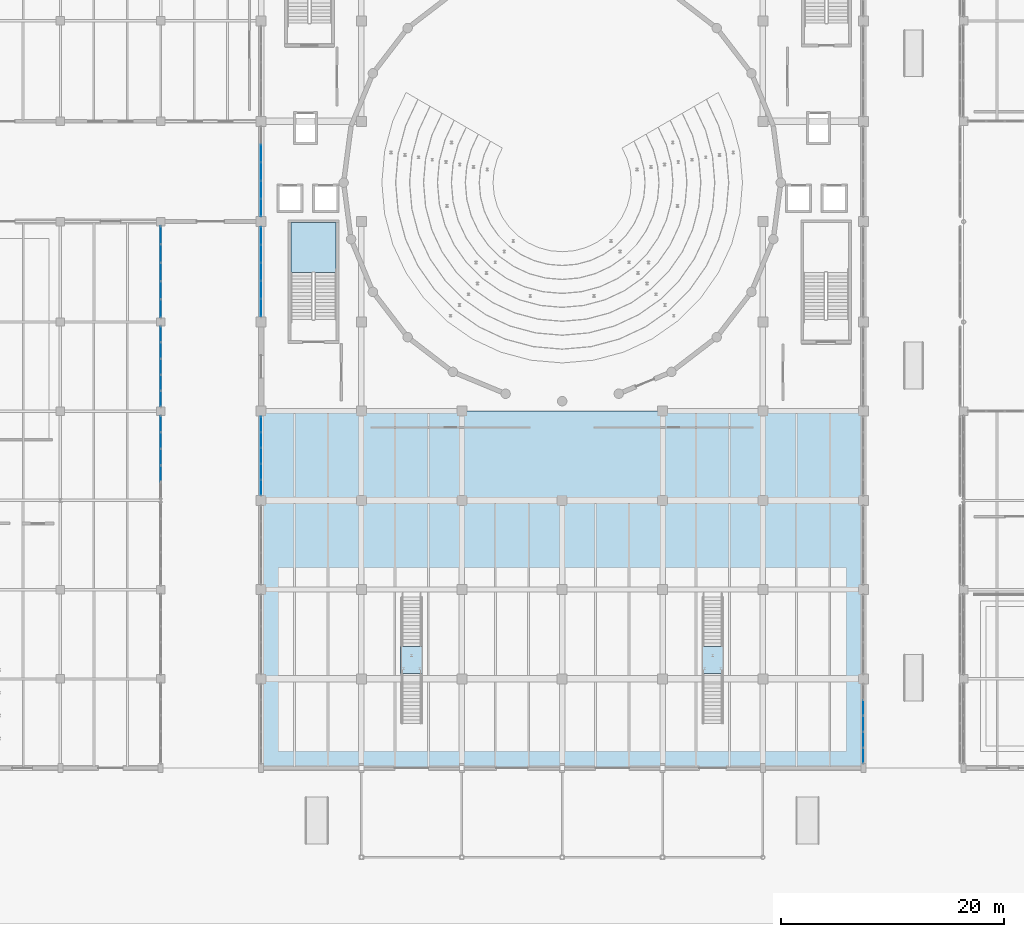
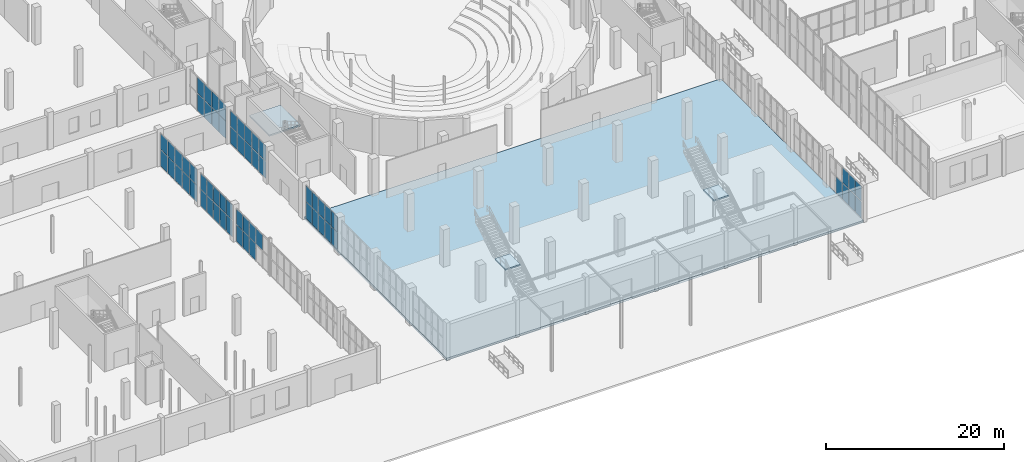
# One storey, part 65 of 103: 62 plates, 4 slabs, 10 elements without a shape of their own.
"""IFC4 building model written with IfcOpenShell, lengths in metres."""

from ifc_helpers import new_model, si_unit, direction, frame, origin, origin_2d, place, context, subcontext, project, spatial, polyline, rectangle, outline, extrude, material, layer, layer_set, type_object, element, aggregate, save


model = new_model("IFC4")

# Units and contexts
model_context = context("Model", 3, precision=1e-05, world=origin(), true_north=direction((0.0, 1.0)))
body_context = subcontext(model_context, "Body", "Model", "MODEL_VIEW")
ifc_project = project(units=[si_unit("LENGTHUNIT", "METRE"), si_unit("AREAUNIT", "SQUARE_METRE"), si_unit("VOLUMEUNIT", "CUBIC_METRE"), si_unit("PLANEANGLEUNIT", "RADIAN"), si_unit("MASSUNIT", "GRAM", prefix="KILO")], contexts=[model_context])

# Site, building, storey
site_placement = place(None, origin())
site = spatial("IfcSite", under=ifc_project, at=site_placement, CompositionType="ELEMENT")
building_placement = place(site_placement, origin())
building = spatial("IfcBuilding", under=site, at=building_placement, Name="Marnock Terrace Opera House", CompositionType="ELEMENT")
storey_placement = place(building_placement, origin())
storey = spatial("IfcBuildingStorey", under=building, at=storey_placement, Name="L00", CompositionType="ELEMENT", Elevation=0.0)

# Curtain wall, plates
ifc_material_1 = material(Name="Anodised architectural bronze aluminium framing", Category="aluminium")
ifc_layer_1 = layer(ifc_material_1, 0.159912109375)
ifc_layer_set_1 = layer_set([ifc_layer_1], Name="Anodised architectural bronze aluminium framing")
curtain_wall_type_1 = type_object("IfcCurtainWallType", Name="CW-FOYER-80x51", PredefinedType="NOTDEFINED", material=ifc_layer_set_1)
curtain_wall_1_placement = place(storey_placement, origin())
curtain_wall_1 = element("IfcCurtainWall", 1, at=curtain_wall_1_placement, inside=storey, type_object=curtain_wall_type_1, Name="L00 glazed Beaux-Arts colonnade curtain wall CW-V1W-L00-04", PredefinedType="NOTDEFINED")
ifc_material_2 = material(Name="Double-glazed acoustic low-E laminated glass", Category="glass")
ifc_layer_2 = layer(ifc_material_2, 0.028076171875)
ifc_layer_set_2 = layer_set([ifc_layer_2], Name="Double-glazed acoustic low-E laminated glass")
plate_type = type_object("IfcPlateType", Name="CWP-GLZ-28", PredefinedType="CURTAIN_PANEL", material=ifc_layer_set_2)
plate_1_placement = place(storey_placement, frame((55.0, 33.171875, 0.06005859375), z_axis=(0.0, 0.0, 1.0), x_axis=(0.0, 1.0, 0.0)))
plate_1 = element("IfcPlate", 2, at=plate_1_placement, type_object=plate_type, Name="CW-73 panel 1.1", PredefinedType="CURTAIN_PANEL", context=body_context, shape_type="SweptSolid", body=[
    extrude(rectangle(XDim=1.33154296875, YDim=0.028076171875, at=origin_2d()), origin(), (0.0, 0.0, 1.0), 2.319091796875),
])
plate_2_placement = place(storey_placement, frame((55.0, 33.171875, 2.43896484375), z_axis=(0.0, 0.0, 1.0), x_axis=(0.0, 1.0, 0.0)))
plate_2 = element("IfcPlate", 3, at=plate_2_placement, type_object=plate_type, Name="CW-73 panel 1.2", PredefinedType="CURTAIN_PANEL", context=body_context, shape_type="SweptSolid", body=[
    extrude(rectangle(XDim=1.33154296875, YDim=0.028076171875, at=origin_2d()), origin(), (0.0, 0.0, 1.0), 2.133544921875),
])
plate_3_placement = place(storey_placement, frame((55.0, 34.578369140625, 0.06005859375), z_axis=(0.0, 0.0, 1.0), x_axis=(0.0, 1.0, 0.0)))
plate_3 = element("IfcPlate", 4, at=plate_3_placement, type_object=plate_type, Name="CW-73 panel 2.1", PredefinedType="CURTAIN_PANEL", context=body_context, shape_type="SweptSolid", body=[
    extrude(rectangle(XDim=1.361572265625, YDim=0.028076171875, at=origin_2d()), origin(), (0.0, 0.0, 1.0), 2.319091796875),
])
plate_4_placement = place(storey_placement, frame((55.0, 34.578369140625, 2.43896484375), z_axis=(0.0, 0.0, 1.0), x_axis=(0.0, 1.0, 0.0)))
plate_4 = element("IfcPlate", 5, at=plate_4_placement, type_object=plate_type, Name="CW-73 panel 2.2", PredefinedType="CURTAIN_PANEL", context=body_context, shape_type="SweptSolid", body=[
    extrude(rectangle(XDim=1.361572265625, YDim=0.028076171875, at=origin_2d()), origin(), (0.0, 0.0, 1.0), 2.133544921875),
])
plate_5_placement = place(storey_placement, frame((55.0, 36.0, 0.06005859375), z_axis=(0.0, 0.0, 1.0), x_axis=(0.0, 1.0, 0.0)))
plate_5 = element("IfcPlate", 6, at=plate_5_placement, type_object=plate_type, Name="CW-73 panel 3.1", PredefinedType="CURTAIN_PANEL", context=body_context, shape_type="SweptSolid", body=[
    extrude(rectangle(XDim=1.361572265625, YDim=0.028076171875, at=origin_2d()), origin(), (0.0, 0.0, 1.0), 2.319091796875),
])
plate_6_placement = place(storey_placement, frame((55.0, 36.0, 2.43896484375), z_axis=(0.0, 0.0, 1.0), x_axis=(0.0, 1.0, 0.0)))
plate_6 = element("IfcPlate", 7, at=plate_6_placement, type_object=plate_type, Name="CW-73 panel 3.2", PredefinedType="CURTAIN_PANEL", context=body_context, shape_type="SweptSolid", body=[
    extrude(rectangle(XDim=1.361572265625, YDim=0.028076171875, at=origin_2d()), origin(), (0.0, 0.0, 1.0), 2.133544921875),
])
plate_7_placement = place(storey_placement, frame((55.0, 37.421630859375, 0.06005859375), z_axis=(0.0, 0.0, 1.0), x_axis=(0.0, 1.0, 0.0)))
plate_7 = element("IfcPlate", 8, at=plate_7_placement, type_object=plate_type, Name="CW-73 panel 4.1", PredefinedType="CURTAIN_PANEL", context=body_context, shape_type="SweptSolid", body=[
    extrude(rectangle(XDim=1.361572265625, YDim=0.028076171875, at=origin_2d()), origin(), (0.0, 0.0, 1.0), 2.319091796875),
])
plate_8_placement = place(storey_placement, frame((55.0, 37.421630859375, 2.43896484375), z_axis=(0.0, 0.0, 1.0), x_axis=(0.0, 1.0, 0.0)))
plate_8 = element("IfcPlate", 9, at=plate_8_placement, type_object=plate_type, Name="CW-73 panel 4.2", PredefinedType="CURTAIN_PANEL", context=body_context, shape_type="SweptSolid", body=[
    extrude(rectangle(XDim=1.361572265625, YDim=0.028076171875, at=origin_2d()), origin(), (0.0, 0.0, 1.0), 2.133544921875),
])
plate_9_placement = place(storey_placement, frame((55.0, 38.828125, 0.06005859375), z_axis=(0.0, 0.0, 1.0), x_axis=(0.0, 1.0, 0.0)))
plate_9 = element("IfcPlate", 10, at=plate_9_placement, type_object=plate_type, Name="CW-73 panel 5.1", PredefinedType="CURTAIN_PANEL", context=body_context, shape_type="SweptSolid", body=[
    extrude(rectangle(XDim=1.33154296875, YDim=0.028076171875, at=origin_2d()), origin(), (0.0, 0.0, 1.0), 2.319091796875),
])
plate_10_placement = place(storey_placement, frame((55.0, 38.828125, 2.43896484375), z_axis=(0.0, 0.0, 1.0), x_axis=(0.0, 1.0, 0.0)))
plate_10 = element("IfcPlate", 11, at=plate_10_placement, type_object=plate_type, Name="CW-73 panel 5.2", PredefinedType="CURTAIN_PANEL", context=body_context, shape_type="SweptSolid", body=[
    extrude(rectangle(XDim=1.33154296875, YDim=0.028076171875, at=origin_2d()), origin(), (0.0, 0.0, 1.0), 2.133544921875),
])
aggregate(curtain_wall_1, [plate_1, plate_2, plate_3, plate_4, plate_5, plate_6, plate_7, plate_8, plate_9, plate_10])

ifc_layer_3 = layer(ifc_material_1, 0.159912109375)
ifc_layer_set_3 = layer_set([ifc_layer_3], Name="Anodised architectural bronze aluminium framing")
curtain_wall_type_2 = type_object("IfcCurtainWallType", Name="CW-FOYER-90x51", PredefinedType="NOTDEFINED", material=ifc_layer_set_3)
curtain_wall_2_placement = place(storey_placement, origin())
curtain_wall_2 = element("IfcCurtainWall", 12, at=curtain_wall_2_placement, inside=storey, type_object=curtain_wall_type_2, Name="L00 glazed Beaux-Arts colonnade curtain wall CW-V1W-L00-06", PredefinedType="NOTDEFINED")
plate_11_placement = place(storey_placement, frame((55.0, 49.271728515625, 0.06005859375), z_axis=(0.0, 0.0, 1.0), x_axis=(0.0, 1.0, 0.0)))
plate_11 = element("IfcPlate", 13, at=plate_11_placement, type_object=plate_type, Name="CW-31 panel 1.1", PredefinedType="CURTAIN_PANEL", context=body_context, shape_type="SweptSolid", body=[
    extrude(rectangle(XDim=1.531494140625, YDim=0.028076171875, at=origin_2d()), origin(), (0.0, 0.0, 1.0), 2.319091796875),
])
plate_12_placement = place(storey_placement, frame((55.0, 49.271728515625, 2.43896484375), z_axis=(0.0, 0.0, 1.0), x_axis=(0.0, 1.0, 0.0)))
plate_12 = element("IfcPlate", 14, at=plate_12_placement, type_object=plate_type, Name="CW-31 panel 1.2", PredefinedType="CURTAIN_PANEL", context=body_context, shape_type="SweptSolid", body=[
    extrude(rectangle(XDim=1.531494140625, YDim=0.028076171875, at=origin_2d()), origin(), (0.0, 0.0, 1.0), 2.133544921875),
])
plate_13_placement = place(storey_placement, frame((55.0, 50.87841796875, 0.06005859375), z_axis=(0.0, 0.0, 1.0), x_axis=(0.0, 1.0, 0.0)))
plate_13 = element("IfcPlate", 15, at=plate_13_placement, type_object=plate_type, Name="CW-31 panel 2.1", PredefinedType="CURTAIN_PANEL", context=body_context, shape_type="SweptSolid", body=[
    extrude(rectangle(XDim=1.5615234375, YDim=0.028076171875, at=origin_2d()), origin(), (0.0, 0.0, 1.0), 2.319091796875),
])
plate_14_placement = place(storey_placement, frame((55.0, 50.87841796875, 2.43896484375), z_axis=(0.0, 0.0, 1.0), x_axis=(0.0, 1.0, 0.0)))
plate_14 = element("IfcPlate", 16, at=plate_14_placement, type_object=plate_type, Name="CW-31 panel 2.2", PredefinedType="CURTAIN_PANEL", context=body_context, shape_type="SweptSolid", body=[
    extrude(rectangle(XDim=1.5615234375, YDim=0.028076171875, at=origin_2d()), origin(), (0.0, 0.0, 1.0), 2.133544921875),
])
plate_15_placement = place(storey_placement, frame((55.0, 52.5, 0.06005859375), z_axis=(0.0, 0.0, 1.0), x_axis=(0.0, 1.0, 0.0)))
plate_15 = element("IfcPlate", 17, at=plate_15_placement, type_object=plate_type, Name="CW-31 panel 3.1", PredefinedType="CURTAIN_PANEL", context=body_context, shape_type="SweptSolid", body=[
    extrude(rectangle(XDim=1.5615234375, YDim=0.028076171875, at=origin_2d()), origin(), (0.0, 0.0, 1.0), 2.319091796875),
])
plate_16_placement = place(storey_placement, frame((55.0, 52.5, 2.43896484375), z_axis=(0.0, 0.0, 1.0), x_axis=(0.0, 1.0, 0.0)))
plate_16 = element("IfcPlate", 18, at=plate_16_placement, type_object=plate_type, Name="CW-31 panel 3.2", PredefinedType="CURTAIN_PANEL", context=body_context, shape_type="SweptSolid", body=[
    extrude(rectangle(XDim=1.5615234375, YDim=0.028076171875, at=origin_2d()), origin(), (0.0, 0.0, 1.0), 2.133544921875),
])
plate_17_placement = place(storey_placement, frame((55.0, 54.12158203125, 0.06005859375), z_axis=(0.0, 0.0, 1.0), x_axis=(0.0, 1.0, 0.0)))
plate_17 = element("IfcPlate", 19, at=plate_17_placement, type_object=plate_type, Name="CW-31 panel 4.1", PredefinedType="CURTAIN_PANEL", context=body_context, shape_type="SweptSolid", body=[
    extrude(rectangle(XDim=1.5615234375, YDim=0.028076171875, at=origin_2d()), origin(), (0.0, 0.0, 1.0), 2.319091796875),
])
plate_18_placement = place(storey_placement, frame((55.0, 54.12158203125, 2.43896484375), z_axis=(0.0, 0.0, 1.0), x_axis=(0.0, 1.0, 0.0)))
plate_18 = element("IfcPlate", 20, at=plate_18_placement, type_object=plate_type, Name="CW-31 panel 4.2", PredefinedType="CURTAIN_PANEL", context=body_context, shape_type="SweptSolid", body=[
    extrude(rectangle(XDim=1.5615234375, YDim=0.028076171875, at=origin_2d()), origin(), (0.0, 0.0, 1.0), 2.133544921875),
])
plate_19_placement = place(storey_placement, frame((55.0, 55.728271484375, 0.06005859375), z_axis=(0.0, 0.0, 1.0), x_axis=(0.0, 1.0, 0.0)))
plate_19 = element("IfcPlate", 21, at=plate_19_placement, type_object=plate_type, Name="CW-31 panel 5.1", PredefinedType="CURTAIN_PANEL", context=body_context, shape_type="SweptSolid", body=[
    extrude(rectangle(XDim=1.531494140625, YDim=0.028076171875, at=origin_2d()), origin(), (0.0, 0.0, 1.0), 2.319091796875),
])
plate_20_placement = place(storey_placement, frame((55.0, 55.728271484375, 2.43896484375), z_axis=(0.0, 0.0, 1.0), x_axis=(0.0, 1.0, 0.0)))
plate_20 = element("IfcPlate", 22, at=plate_20_placement, type_object=plate_type, Name="CW-31 panel 5.2", PredefinedType="CURTAIN_PANEL", context=body_context, shape_type="SweptSolid", body=[
    extrude(rectangle(XDim=1.531494140625, YDim=0.028076171875, at=origin_2d()), origin(), (0.0, 0.0, 1.0), 2.133544921875),
])
aggregate(curtain_wall_2, [plate_11, plate_12, plate_13, plate_14, plate_15, plate_16, plate_17, plate_18, plate_19, plate_20])

curtain_wall_3_placement = place(storey_placement, origin())
curtain_wall_3 = element("IfcCurtainWall", 23, at=curtain_wall_3_placement, inside=storey, type_object=curtain_wall_type_2, Name="L00 glazed Beaux-Arts colonnade curtain wall CW-V1W-L00-07", PredefinedType="NOTDEFINED")
plate_21_placement = place(storey_placement, frame((55.0, 58.271728515625, 0.06005859375), z_axis=(0.0, 0.0, 1.0), x_axis=(0.0, 1.0, 0.0)))
plate_21 = element("IfcPlate", 24, at=plate_21_placement, type_object=plate_type, Name="CW-31 panel 1.1", PredefinedType="CURTAIN_PANEL", context=body_context, shape_type="SweptSolid", body=[
    extrude(rectangle(XDim=1.531494140625, YDim=0.028076171875, at=origin_2d()), origin(), (0.0, 0.0, 1.0), 2.371826171875),
])
plate_22_placement = place(storey_placement, frame((55.0, 58.271728515625, 2.491943359375), z_axis=(0.0, 0.0, 1.0), x_axis=(0.0, 1.0, 0.0)))
plate_22 = element("IfcPlate", 25, at=plate_22_placement, type_object=plate_type, Name="CW-31 panel 1.2", PredefinedType="CURTAIN_PANEL", context=body_context, shape_type="SweptSolid", body=[
    extrude(rectangle(XDim=1.531494140625, YDim=0.028076171875, at=origin_2d()), origin(), (0.0, 0.0, 1.0), 2.1826171875),
])
plate_23_placement = place(storey_placement, frame((55.0, 59.87841796875, 0.06005859375), z_axis=(0.0, 0.0, 1.0), x_axis=(0.0, 1.0, 0.0)))
plate_23 = element("IfcPlate", 26, at=plate_23_placement, type_object=plate_type, Name="CW-31 panel 2.1", PredefinedType="CURTAIN_PANEL", context=body_context, shape_type="SweptSolid", body=[
    extrude(rectangle(XDim=1.5615234375, YDim=0.028076171875, at=origin_2d()), origin(), (0.0, 0.0, 1.0), 2.371826171875),
])
plate_24_placement = place(storey_placement, frame((55.0, 59.87841796875, 2.491943359375), z_axis=(0.0, 0.0, 1.0), x_axis=(0.0, 1.0, 0.0)))
plate_24 = element("IfcPlate", 27, at=plate_24_placement, type_object=plate_type, Name="CW-31 panel 2.2", PredefinedType="CURTAIN_PANEL", context=body_context, shape_type="SweptSolid", body=[
    extrude(rectangle(XDim=1.5615234375, YDim=0.028076171875, at=origin_2d()), origin(), (0.0, 0.0, 1.0), 2.1826171875),
])
plate_25_placement = place(storey_placement, frame((55.0, 61.5, 0.06005859375), z_axis=(0.0, 0.0, 1.0), x_axis=(0.0, 1.0, 0.0)))
plate_25 = element("IfcPlate", 28, at=plate_25_placement, type_object=plate_type, Name="CW-31 panel 3.1", PredefinedType="CURTAIN_PANEL", context=body_context, shape_type="SweptSolid", body=[
    extrude(rectangle(XDim=1.5615234375, YDim=0.028076171875, at=origin_2d()), origin(), (0.0, 0.0, 1.0), 2.371826171875),
])
plate_26_placement = place(storey_placement, frame((55.0, 61.5, 2.491943359375), z_axis=(0.0, 0.0, 1.0), x_axis=(0.0, 1.0, 0.0)))
plate_26 = element("IfcPlate", 29, at=plate_26_placement, type_object=plate_type, Name="CW-31 panel 3.2", PredefinedType="CURTAIN_PANEL", context=body_context, shape_type="SweptSolid", body=[
    extrude(rectangle(XDim=1.5615234375, YDim=0.028076171875, at=origin_2d()), origin(), (0.0, 0.0, 1.0), 2.1826171875),
])
plate_27_placement = place(storey_placement, frame((55.0, 63.12158203125, 0.06005859375), z_axis=(0.0, 0.0, 1.0), x_axis=(0.0, 1.0, 0.0)))
plate_27 = element("IfcPlate", 30, at=plate_27_placement, type_object=plate_type, Name="CW-31 panel 4.1", PredefinedType="CURTAIN_PANEL", context=body_context, shape_type="SweptSolid", body=[
    extrude(rectangle(XDim=1.5615234375, YDim=0.028076171875, at=origin_2d()), origin(), (0.0, 0.0, 1.0), 2.371826171875),
])
plate_28_placement = place(storey_placement, frame((55.0, 63.12158203125, 2.491943359375), z_axis=(0.0, 0.0, 1.0), x_axis=(0.0, 1.0, 0.0)))
plate_28 = element("IfcPlate", 31, at=plate_28_placement, type_object=plate_type, Name="CW-31 panel 4.2", PredefinedType="CURTAIN_PANEL", context=body_context, shape_type="SweptSolid", body=[
    extrude(rectangle(XDim=1.5615234375, YDim=0.028076171875, at=origin_2d()), origin(), (0.0, 0.0, 1.0), 2.1826171875),
])
aggregate(curtain_wall_3, [plate_21, plate_22, plate_23, plate_24, plate_25, plate_26, plate_27, plate_28])

curtain_wall_4_placement = place(storey_placement, origin())
curtain_wall_4 = element("IfcCurtainWall", 32, at=curtain_wall_4_placement, inside=storey, type_object=curtain_wall_type_1, Name="L00 glazed Beaux-Arts colonnade curtain wall CW-V1E-L00-01", PredefinedType="NOTDEFINED")
plate_29_placement = place(storey_placement, frame((109.0, 9.126708984375, 0.06005859375), z_axis=(0.0, 0.0, 1.0), x_axis=(0.0, 1.0, 0.0)))
plate_29 = element("IfcPlate", 33, at=plate_29_placement, type_object=plate_type, Name="CW-73 panel 1.1", PredefinedType="CURTAIN_PANEL", context=body_context, shape_type="SweptSolid", body=[
    extrude(rectangle(XDim=1.341552734375, YDim=0.028076171875, at=origin_2d()), origin(), (0.0, 0.0, 1.0), 2.243896484375),
])
plate_30_placement = place(storey_placement, frame((109.0, 9.126708984375, 2.36376953125), z_axis=(0.0, 0.0, 1.0), x_axis=(0.0, 1.0, 0.0)))
plate_30 = element("IfcPlate", 34, at=plate_30_placement, type_object=plate_type, Name="CW-73 panel 1.2", PredefinedType="CURTAIN_PANEL", context=body_context, shape_type="SweptSolid", body=[
    extrude(rectangle(XDim=1.341552734375, YDim=0.028076171875, at=origin_2d()), origin(), (0.0, 0.0, 1.0), 2.064208984375),
])
plate_31_placement = place(storey_placement, frame((109.0, 10.54345703125, 0.06005859375), z_axis=(0.0, 0.0, 1.0), x_axis=(0.0, 1.0, 0.0)))
plate_31 = element("IfcPlate", 35, at=plate_31_placement, type_object=plate_type, Name="CW-73 panel 2.1", PredefinedType="CURTAIN_PANEL", context=body_context, shape_type="SweptSolid", body=[
    extrude(rectangle(XDim=1.37158203125, YDim=0.028076171875, at=origin_2d()), origin(), (0.0, 0.0, 1.0), 2.243896484375),
])
plate_32_placement = place(storey_placement, frame((109.0, 10.54345703125, 2.36376953125), z_axis=(0.0, 0.0, 1.0), x_axis=(0.0, 1.0, 0.0)))
plate_32 = element("IfcPlate", 36, at=plate_32_placement, type_object=plate_type, Name="CW-73 panel 2.2", PredefinedType="CURTAIN_PANEL", context=body_context, shape_type="SweptSolid", body=[
    extrude(rectangle(XDim=1.37158203125, YDim=0.028076171875, at=origin_2d()), origin(), (0.0, 0.0, 1.0), 2.064208984375),
])
plate_33_placement = place(storey_placement, frame((109.0, 11.97509765625, 0.06005859375), z_axis=(0.0, 0.0, 1.0), x_axis=(0.0, 1.0, 0.0)))
plate_33 = element("IfcPlate", 37, at=plate_33_placement, type_object=plate_type, Name="CW-73 panel 3.1", PredefinedType="CURTAIN_PANEL", context=body_context, shape_type="SweptSolid", body=[
    extrude(rectangle(XDim=1.37158203125, YDim=0.028076171875, at=origin_2d()), origin(), (0.0, 0.0, 1.0), 2.243896484375),
])
plate_34_placement = place(storey_placement, frame((109.0, 11.97509765625, 2.36376953125), z_axis=(0.0, 0.0, 1.0), x_axis=(0.0, 1.0, 0.0)))
plate_34 = element("IfcPlate", 38, at=plate_34_placement, type_object=plate_type, Name="CW-73 panel 3.2", PredefinedType="CURTAIN_PANEL", context=body_context, shape_type="SweptSolid", body=[
    extrude(rectangle(XDim=1.37158203125, YDim=0.028076171875, at=origin_2d()), origin(), (0.0, 0.0, 1.0), 2.064208984375),
])
plate_35_placement = place(storey_placement, frame((109.0, 13.406494140625, 0.06005859375), z_axis=(0.0, 0.0, 1.0), x_axis=(0.0, 1.0, 0.0)))
plate_35 = element("IfcPlate", 39, at=plate_35_placement, type_object=plate_type, Name="CW-73 panel 4.1", PredefinedType="CURTAIN_PANEL", context=body_context, shape_type="SweptSolid", body=[
    extrude(rectangle(XDim=1.37158203125, YDim=0.028076171875, at=origin_2d()), origin(), (0.0, 0.0, 1.0), 2.243896484375),
])
aggregate(curtain_wall_4, [plate_29, plate_30, plate_31, plate_32, plate_33, plate_34, plate_35])

ifc_layer_4 = layer(ifc_material_1, 0.159912109375)
ifc_layer_set_4 = layer_set([ifc_layer_4], Name="Anodised architectural bronze aluminium framing")
curtain_wall_type_3 = type_object("IfcCurtainWallType", Name="CW-COURT-80x51", PredefinedType="NOTDEFINED", material=ifc_layer_set_4)
curtain_wall_5_placement = place(storey_placement, origin())
curtain_wall_5 = element("IfcCurtainWall", 40, at=curtain_wall_5_placement, inside=storey, type_object=curtain_wall_type_3, Name="L00 glazed Beaux-Arts colonnade curtain wall CW-V3E-L00-04", PredefinedType="NOTDEFINED")
plate_36_placement = place(storey_placement, frame((46.0, 34.400390625, 2.40234375), z_axis=(0.0, 0.0, 1.0), x_axis=(0.0, 1.0, 0.0)))
plate_36 = element("IfcPlate", 41, at=plate_36_placement, type_object=plate_type, Name="CW-114 panel 2.2", PredefinedType="CURTAIN_PANEL", context=body_context, shape_type="SweptSolid", body=[
    extrude(rectangle(XDim=1.433837890625, YDim=0.028076171875, at=origin_2d()), origin(), (0.0, 0.0, 1.0), 2.099853515625),
])
plate_37_placement = place(storey_placement, frame((46.0, 35.894287109375, 0.06005859375), z_axis=(0.0, 0.0, 1.0), x_axis=(0.0, 1.0, 0.0)))
plate_37 = element("IfcPlate", 42, at=plate_37_placement, type_object=plate_type, Name="CW-114 panel 3.1", PredefinedType="CURTAIN_PANEL", context=body_context, shape_type="SweptSolid", body=[
    extrude(rectangle(XDim=1.433837890625, YDim=0.028076171875, at=origin_2d()), origin(), (0.0, 0.0, 1.0), 2.2822265625),
])
plate_38_placement = place(storey_placement, frame((46.0, 35.894287109375, 2.40234375), z_axis=(0.0, 0.0, 1.0), x_axis=(0.0, 1.0, 0.0)))
plate_38 = element("IfcPlate", 43, at=plate_38_placement, type_object=plate_type, Name="CW-114 panel 3.2", PredefinedType="CURTAIN_PANEL", context=body_context, shape_type="SweptSolid", body=[
    extrude(rectangle(XDim=1.433837890625, YDim=0.028076171875, at=origin_2d()), origin(), (0.0, 0.0, 1.0), 2.099853515625),
])
plate_39_placement = place(storey_placement, frame((46.0, 37.38818359375, 0.06005859375), z_axis=(0.0, 0.0, 1.0), x_axis=(0.0, 1.0, 0.0)))
plate_39 = element("IfcPlate", 44, at=plate_39_placement, type_object=plate_type, Name="CW-114 panel 4.1", PredefinedType="CURTAIN_PANEL", context=body_context, shape_type="SweptSolid", body=[
    extrude(rectangle(XDim=1.433837890625, YDim=0.028076171875, at=origin_2d()), origin(), (0.0, 0.0, 1.0), 2.2822265625),
])
plate_40_placement = place(storey_placement, frame((46.0, 37.38818359375, 2.40234375), z_axis=(0.0, 0.0, 1.0), x_axis=(0.0, 1.0, 0.0)))
plate_40 = element("IfcPlate", 45, at=plate_40_placement, type_object=plate_type, Name="CW-114 panel 4.2", PredefinedType="CURTAIN_PANEL", context=body_context, shape_type="SweptSolid", body=[
    extrude(rectangle(XDim=1.433837890625, YDim=0.028076171875, at=origin_2d()), origin(), (0.0, 0.0, 1.0), 2.099853515625),
])
plate_41_placement = place(storey_placement, frame((46.0, 38.866943359375, 0.06005859375), z_axis=(0.0, 0.0, 1.0), x_axis=(0.0, 1.0, 0.0)))
plate_41 = element("IfcPlate", 46, at=plate_41_placement, type_object=plate_type, Name="CW-114 panel 5.1", PredefinedType="CURTAIN_PANEL", context=body_context, shape_type="SweptSolid", body=[
    extrude(rectangle(XDim=1.40380859375, YDim=0.028076171875, at=origin_2d()), origin(), (0.0, 0.0, 1.0), 2.2822265625),
])
plate_42_placement = place(storey_placement, frame((46.0, 38.866943359375, 2.40234375), z_axis=(0.0, 0.0, 1.0), x_axis=(0.0, 1.0, 0.0)))
plate_42 = element("IfcPlate", 47, at=plate_42_placement, type_object=plate_type, Name="CW-114 panel 5.2", PredefinedType="CURTAIN_PANEL", context=body_context, shape_type="SweptSolid", body=[
    extrude(rectangle(XDim=1.40380859375, YDim=0.028076171875, at=origin_2d()), origin(), (0.0, 0.0, 1.0), 2.099853515625),
])
aggregate(curtain_wall_5, [plate_36, plate_37, plate_38, plate_39, plate_40, plate_41, plate_42])

curtain_wall_6_placement = place(storey_placement, origin())
curtain_wall_6 = element("IfcCurtainWall", 48, at=curtain_wall_6_placement, inside=storey, type_object=curtain_wall_type_3, Name="L00 glazed Beaux-Arts colonnade curtain wall CW-V3E-L00-05", PredefinedType="NOTDEFINED")
plate_43_placement = place(storey_placement, frame((46.0, 41.11181640625, 0.06005859375), z_axis=(0.0, 0.0, 1.0), x_axis=(0.0, 1.0, 0.0)))
plate_43 = element("IfcPlate", 49, at=plate_43_placement, type_object=plate_type, Name="CW-114 panel 1.1", PredefinedType="CURTAIN_PANEL", context=body_context, shape_type="SweptSolid", body=[
    extrude(rectangle(XDim=1.361572265625, YDim=0.028076171875, at=origin_2d()), origin(), (0.0, 0.0, 1.0), 2.2822265625),
])
plate_44_placement = place(storey_placement, frame((46.0, 41.11181640625, 2.40234375), z_axis=(0.0, 0.0, 1.0), x_axis=(0.0, 1.0, 0.0)))
plate_44 = element("IfcPlate", 50, at=plate_44_placement, type_object=plate_type, Name="CW-114 panel 1.2", PredefinedType="CURTAIN_PANEL", context=body_context, shape_type="SweptSolid", body=[
    extrude(rectangle(XDim=1.361572265625, YDim=0.028076171875, at=origin_2d()), origin(), (0.0, 0.0, 1.0), 2.099853515625),
])
plate_45_placement = place(storey_placement, frame((46.0, 42.54833984375, 0.06005859375), z_axis=(0.0, 0.0, 1.0), x_axis=(0.0, 1.0, 0.0)))
plate_45 = element("IfcPlate", 51, at=plate_45_placement, type_object=plate_type, Name="CW-114 panel 2.1", PredefinedType="CURTAIN_PANEL", context=body_context, shape_type="SweptSolid", body=[
    extrude(rectangle(XDim=1.3916015625, YDim=0.028076171875, at=origin_2d()), origin(), (0.0, 0.0, 1.0), 2.2822265625),
])
plate_46_placement = place(storey_placement, frame((46.0, 42.54833984375, 2.40234375), z_axis=(0.0, 0.0, 1.0), x_axis=(0.0, 1.0, 0.0)))
plate_46 = element("IfcPlate", 52, at=plate_46_placement, type_object=plate_type, Name="CW-114 panel 2.2", PredefinedType="CURTAIN_PANEL", context=body_context, shape_type="SweptSolid", body=[
    extrude(rectangle(XDim=1.3916015625, YDim=0.028076171875, at=origin_2d()), origin(), (0.0, 0.0, 1.0), 2.099853515625),
])
plate_47_placement = place(storey_placement, frame((46.0, 44.0, 0.06005859375), z_axis=(0.0, 0.0, 1.0), x_axis=(0.0, 1.0, 0.0)))
plate_47 = element("IfcPlate", 53, at=plate_47_placement, type_object=plate_type, Name="CW-114 panel 3.1", PredefinedType="CURTAIN_PANEL", context=body_context, shape_type="SweptSolid", body=[
    extrude(rectangle(XDim=1.3916015625, YDim=0.028076171875, at=origin_2d()), origin(), (0.0, 0.0, 1.0), 2.2822265625),
])
plate_48_placement = place(storey_placement, frame((46.0, 44.0, 2.40234375), z_axis=(0.0, 0.0, 1.0), x_axis=(0.0, 1.0, 0.0)))
plate_48 = element("IfcPlate", 54, at=plate_48_placement, type_object=plate_type, Name="CW-114 panel 3.2", PredefinedType="CURTAIN_PANEL", context=body_context, shape_type="SweptSolid", body=[
    extrude(rectangle(XDim=1.3916015625, YDim=0.028076171875, at=origin_2d()), origin(), (0.0, 0.0, 1.0), 2.099853515625),
])
plate_49_placement = place(storey_placement, frame((46.0, 45.45166015625, 0.06005859375), z_axis=(0.0, 0.0, 1.0), x_axis=(0.0, 1.0, 0.0)))
plate_49 = element("IfcPlate", 55, at=plate_49_placement, type_object=plate_type, Name="CW-114 panel 4.1", PredefinedType="CURTAIN_PANEL", context=body_context, shape_type="SweptSolid", body=[
    extrude(rectangle(XDim=1.3916015625, YDim=0.028076171875, at=origin_2d()), origin(), (0.0, 0.0, 1.0), 2.2822265625),
])
plate_50_placement = place(storey_placement, frame((46.0, 45.45166015625, 2.40234375), z_axis=(0.0, 0.0, 1.0), x_axis=(0.0, 1.0, 0.0)))
plate_50 = element("IfcPlate", 56, at=plate_50_placement, type_object=plate_type, Name="CW-114 panel 4.2", PredefinedType="CURTAIN_PANEL", context=body_context, shape_type="SweptSolid", body=[
    extrude(rectangle(XDim=1.3916015625, YDim=0.028076171875, at=origin_2d()), origin(), (0.0, 0.0, 1.0), 2.099853515625),
])
plate_51_placement = place(storey_placement, frame((46.0, 46.88818359375, 0.06005859375), z_axis=(0.0, 0.0, 1.0), x_axis=(0.0, 1.0, 0.0)))
plate_51 = element("IfcPlate", 57, at=plate_51_placement, type_object=plate_type, Name="CW-114 panel 5.1", PredefinedType="CURTAIN_PANEL", context=body_context, shape_type="SweptSolid", body=[
    extrude(rectangle(XDim=1.361572265625, YDim=0.028076171875, at=origin_2d()), origin(), (0.0, 0.0, 1.0), 2.2822265625),
])
plate_52_placement = place(storey_placement, frame((46.0, 46.88818359375, 2.40234375), z_axis=(0.0, 0.0, 1.0), x_axis=(0.0, 1.0, 0.0)))
plate_52 = element("IfcPlate", 58, at=plate_52_placement, type_object=plate_type, Name="CW-114 panel 5.2", PredefinedType="CURTAIN_PANEL", context=body_context, shape_type="SweptSolid", body=[
    extrude(rectangle(XDim=1.361572265625, YDim=0.028076171875, at=origin_2d()), origin(), (0.0, 0.0, 1.0), 2.099853515625),
])
aggregate(curtain_wall_6, [plate_43, plate_44, plate_45, plate_46, plate_47, plate_48, plate_49, plate_50, plate_51, plate_52])

curtain_wall_7_placement = place(storey_placement, origin())
curtain_wall_7 = element("IfcCurtainWall", 59, at=curtain_wall_7_placement, inside=storey, type_object=curtain_wall_type_3, Name="L00 glazed Beaux-Arts colonnade curtain wall CW-V3E-L00-06", PredefinedType="NOTDEFINED")
plate_53_placement = place(storey_placement, frame((46.0, 49.2119140625, 0.06005859375), z_axis=(0.0, 0.0, 1.0), x_axis=(0.0, 1.0, 0.0)))
plate_53 = element("IfcPlate", 60, at=plate_53_placement, type_object=plate_type, Name="CW-114 panel 1.1", PredefinedType="CURTAIN_PANEL", context=body_context, shape_type="SweptSolid", body=[
    extrude(rectangle(XDim=1.5615234375, YDim=0.028076171875, at=origin_2d()), origin(), (0.0, 0.0, 1.0), 2.2822265625),
])
plate_54_placement = place(storey_placement, frame((46.0, 49.2119140625, 2.40234375), z_axis=(0.0, 0.0, 1.0), x_axis=(0.0, 1.0, 0.0)))
plate_54 = element("IfcPlate", 61, at=plate_54_placement, type_object=plate_type, Name="CW-114 panel 1.2", PredefinedType="CURTAIN_PANEL", context=body_context, shape_type="SweptSolid", body=[
    extrude(rectangle(XDim=1.5615234375, YDim=0.028076171875, at=origin_2d()), origin(), (0.0, 0.0, 1.0), 2.099853515625),
])
plate_55_placement = place(storey_placement, frame((46.0, 50.848388671875, 0.06005859375), z_axis=(0.0, 0.0, 1.0), x_axis=(0.0, 1.0, 0.0)))
plate_55 = element("IfcPlate", 62, at=plate_55_placement, type_object=plate_type, Name="CW-114 panel 2.1", PredefinedType="CURTAIN_PANEL", context=body_context, shape_type="SweptSolid", body=[
    extrude(rectangle(XDim=1.591552734375, YDim=0.028076171875, at=origin_2d()), origin(), (0.0, 0.0, 1.0), 2.2822265625),
])
plate_56_placement = place(storey_placement, frame((46.0, 50.848388671875, 2.40234375), z_axis=(0.0, 0.0, 1.0), x_axis=(0.0, 1.0, 0.0)))
plate_56 = element("IfcPlate", 63, at=plate_56_placement, type_object=plate_type, Name="CW-114 panel 2.2", PredefinedType="CURTAIN_PANEL", context=body_context, shape_type="SweptSolid", body=[
    extrude(rectangle(XDim=1.591552734375, YDim=0.028076171875, at=origin_2d()), origin(), (0.0, 0.0, 1.0), 2.099853515625),
])
plate_57_placement = place(storey_placement, frame((46.0, 52.5, 0.06005859375), z_axis=(0.0, 0.0, 1.0), x_axis=(0.0, 1.0, 0.0)))
plate_57 = element("IfcPlate", 64, at=plate_57_placement, type_object=plate_type, Name="CW-114 panel 3.1", PredefinedType="CURTAIN_PANEL", context=body_context, shape_type="SweptSolid", body=[
    extrude(rectangle(XDim=1.591552734375, YDim=0.028076171875, at=origin_2d()), origin(), (0.0, 0.0, 1.0), 2.2822265625),
])
plate_58_placement = place(storey_placement, frame((46.0, 52.5, 2.40234375), z_axis=(0.0, 0.0, 1.0), x_axis=(0.0, 1.0, 0.0)))
plate_58 = element("IfcPlate", 65, at=plate_58_placement, type_object=plate_type, Name="CW-114 panel 3.2", PredefinedType="CURTAIN_PANEL", context=body_context, shape_type="SweptSolid", body=[
    extrude(rectangle(XDim=1.591552734375, YDim=0.028076171875, at=origin_2d()), origin(), (0.0, 0.0, 1.0), 2.099853515625),
])
plate_59_placement = place(storey_placement, frame((46.0, 54.151611328125, 0.06005859375), z_axis=(0.0, 0.0, 1.0), x_axis=(0.0, 1.0, 0.0)))
plate_59 = element("IfcPlate", 66, at=plate_59_placement, type_object=plate_type, Name="CW-114 panel 4.1", PredefinedType="CURTAIN_PANEL", context=body_context, shape_type="SweptSolid", body=[
    extrude(rectangle(XDim=1.591552734375, YDim=0.028076171875, at=origin_2d()), origin(), (0.0, 0.0, 1.0), 2.2822265625),
])
plate_60_placement = place(storey_placement, frame((46.0, 54.151611328125, 2.40234375), z_axis=(0.0, 0.0, 1.0), x_axis=(0.0, 1.0, 0.0)))
plate_60 = element("IfcPlate", 67, at=plate_60_placement, type_object=plate_type, Name="CW-114 panel 4.2", PredefinedType="CURTAIN_PANEL", context=body_context, shape_type="SweptSolid", body=[
    extrude(rectangle(XDim=1.591552734375, YDim=0.028076171875, at=origin_2d()), origin(), (0.0, 0.0, 1.0), 2.099853515625),
])
plate_61_placement = place(storey_placement, frame((46.0, 55.7880859375, 0.06005859375), z_axis=(0.0, 0.0, 1.0), x_axis=(0.0, 1.0, 0.0)))
plate_61 = element("IfcPlate", 68, at=plate_61_placement, type_object=plate_type, Name="CW-114 panel 5.1", PredefinedType="CURTAIN_PANEL", context=body_context, shape_type="SweptSolid", body=[
    extrude(rectangle(XDim=1.5615234375, YDim=0.028076171875, at=origin_2d()), origin(), (0.0, 0.0, 1.0), 2.2822265625),
])
plate_62_placement = place(storey_placement, frame((46.0, 55.7880859375, 2.40234375), z_axis=(0.0, 0.0, 1.0), x_axis=(0.0, 1.0, 0.0)))
plate_62 = element("IfcPlate", 69, at=plate_62_placement, type_object=plate_type, Name="CW-114 panel 5.2", PredefinedType="CURTAIN_PANEL", context=body_context, shape_type="SweptSolid", body=[
    extrude(rectangle(XDim=1.5615234375, YDim=0.028076171875, at=origin_2d()), origin(), (0.0, 0.0, 1.0), 2.099853515625),
])
aggregate(curtain_wall_7, [plate_53, plate_54, plate_55, plate_56, plate_57, plate_58, plate_59, plate_60, plate_61, plate_62])

# Slab
ifc_material_3 = material(Name="Concrete N40 (f'c = 40 MPa)", Category="concrete")
ifc_layer_5 = layer(ifc_material_3, 0.300048828125)
ifc_layer_set_5 = layer_set([ifc_layer_5], Name="Concrete N40 (f'c = 40 MPa)")
slab_type_1 = type_object("IfcSlabType", Name="SL-FLR-300", PredefinedType="FLOOR", material=ifc_layer_set_5)
slab_1_placement = place(storey_placement, frame((0.0, 0.0, -0.300048828125)))
element("IfcSlab", 70, at=slab_1_placement, inside=storey, type_object=slab_type_1, Name="L00 Grand Hall structural floor slab", PredefinedType="FLOOR", context=body_context, shape_type="SweptSolid", body=[
    extrude(outline(polyline([(55.0, 8.0), (109.0, 8.0), (109.0, 40.0), (55.0, 40.0), (55.0, 8.0)])), origin(), (0.0, 0.0, 1.0), 0.300048828125),
])

# Stair, slab
stair_type_1 = type_object("IfcStairType", Name="ST-TYPE-2600", PredefinedType="HALF_TURN_STAIR", material=ifc_material_3)
stair_1_placement = place(storey_placement, origin())
stair_1 = element("IfcStair", 71, at=stair_1_placement, inside=storey, type_object=stair_type_1, Name="L00 ST-01", PredefinedType="HALF_TURN_STAIR")
ifc_material_4 = material(Name="Concrete N32 (f'c = 32 MPa)", Category="concrete")
ifc_layer_6 = layer(ifc_material_4, 0.199951171875)
ifc_layer_set_6 = layer_set([ifc_layer_6], Name="Concrete N32 (f'c = 32 MPa)")
slab_type_2 = type_object("IfcSlabType", Name="SL-LAND-200", PredefinedType="LANDING", material=ifc_layer_set_6)
slab_2_placement = place(storey_placement, frame((0.0, 0.0, 2.5)))
slab_2 = element("IfcSlab", 72, at=slab_2_placement, type_object=slab_type_2, Name="ST-01 landing 1", PredefinedType="LANDING", context=body_context, shape_type="SweptSolid", body=[
    extrude(outline(polyline([(61.719970703125, 52.43994140625), (61.719970703125, 56.919921875), (57.679931640625, 56.919921875), (57.679931640625, 52.43994140625), (61.719970703125, 52.43994140625)])), origin(), (0.0, 0.0, 1.0), 0.199951171875),
])
aggregate(stair_1, [slab_2])

stair_type_2 = type_object("IfcStairType", Name="ST-GRAND-3200", PredefinedType="STRAIGHT_RUN_STAIR", material=ifc_material_3)
stair_2_placement = place(storey_placement, origin())
stair_2 = element("IfcStair", 73, at=stair_2_placement, inside=storey, type_object=stair_type_2, Name="L00 Grand Stair ceremonial stair ST-09", PredefinedType="STRAIGHT_RUN_STAIR")
slab_3_placement = place(storey_placement, frame((0.0, 0.0, 2.5)))
slab_3 = element("IfcSlab", 74, at=slab_3_placement, type_object=slab_type_2, Name="ST-09 landing 1", PredefinedType="LANDING", context=body_context, shape_type="SweptSolid", body=[
    extrude(outline(polyline([(67.52001953125, 16.47998046875), (69.47998046875, 16.47998046875), (69.47998046875, 18.8798828125), (67.52001953125, 18.8798828125), (67.52001953125, 16.47998046875)])), origin(), (0.0, 0.0, 1.0), 0.199951171875),
])
aggregate(stair_2, [slab_3])

stair_3_placement = place(storey_placement, origin())
stair_3 = element("IfcStair", 75, at=stair_3_placement, inside=storey, type_object=stair_type_2, Name="L00 Grand Stair ceremonial stair ST-10", PredefinedType="STRAIGHT_RUN_STAIR")
slab_4_placement = place(storey_placement, frame((0.0, 0.0, 2.5)))
slab_4 = element("IfcSlab", 76, at=slab_4_placement, type_object=slab_type_2, Name="ST-10 landing 1", PredefinedType="LANDING", context=body_context, shape_type="SweptSolid", body=[
    extrude(outline(polyline([(94.52001953125, 16.47998046875), (96.47998046875, 16.47998046875), (96.47998046875, 18.8798828125), (94.52001953125, 18.8798828125), (94.52001953125, 16.47998046875)])), origin(), (0.0, 0.0, 1.0), 0.199951171875),
])
aggregate(stair_3, [slab_4])

save(model, "model.ifc")
